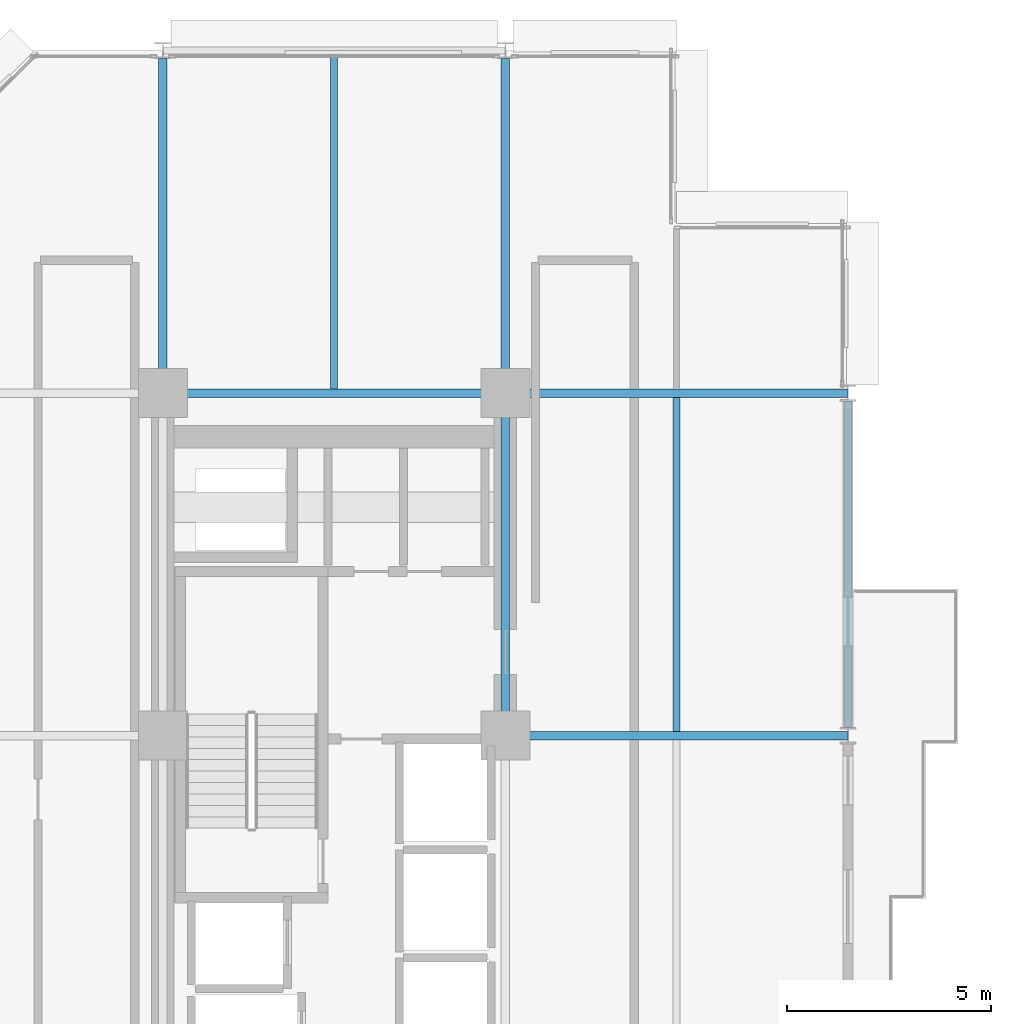
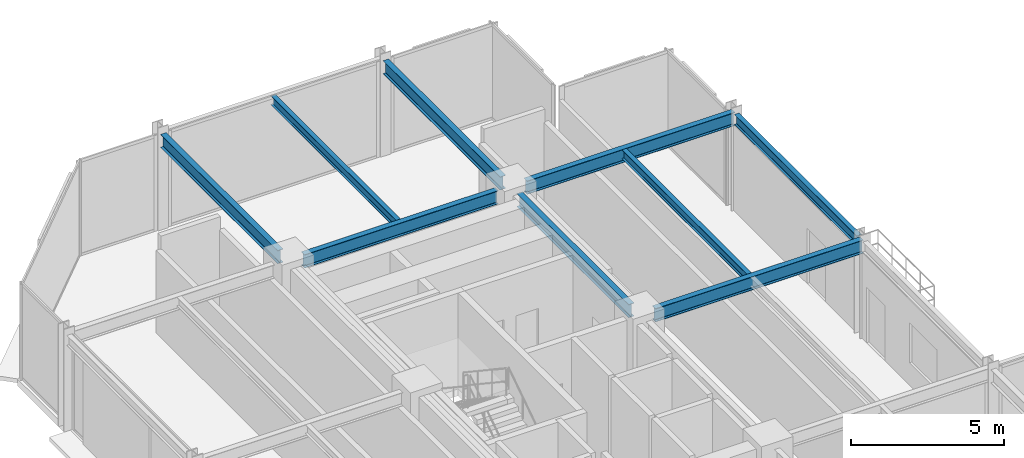
# One storey, part 19 of 30: 9 beams.
"""IFC4 building model written with IfcOpenShell, lengths in metres."""

from ifc_helpers import new_model, si_unit, direction, frame, origin, origin_2d, place, context, subcontext, project, spatial, i_section, extrude, material, material_profile, profile_set, type_object, element, save


model = new_model("IFC4")

# Units and contexts
model_context = context("Model", 3, precision=1e-05, world=origin(), true_north=direction((0.0, 1.0)))
body_context = subcontext(model_context, "Body", "Model", "MODEL_VIEW")
ifc_project = project(units=[si_unit("LENGTHUNIT", "METRE"), si_unit("AREAUNIT", "SQUARE_METRE"), si_unit("VOLUMEUNIT", "CUBIC_METRE"), si_unit("PLANEANGLEUNIT", "RADIAN"), si_unit("MASSUNIT", "GRAM", prefix="KILO")], contexts=[model_context])

# Site, building, storey
site_placement = place(None, origin())
site = spatial("IfcSite", under=ifc_project, at=site_placement, CompositionType="ELEMENT")
building_placement = place(site_placement, origin())
building = spatial("IfcBuilding", under=site, at=building_placement, Name="Nerrivon Quay Data Exchange", CompositionType="ELEMENT")
storey_placement = place(building_placement, frame((0.0, 0.0, 117.199951171875)))
storey = spatial("IfcBuildingStorey", under=building, at=storey_placement, Name="L27", CompositionType="ELEMENT", Elevation=117.199951171875)

# Beams
ifc_material = material(Name="Steel Grade 350", Category="steel")
ifc_material_profile_1 = material_profile(ifc_material, i_section(OverallWidth=0.208984375, OverallDepth=0.532958984375, WebThickness=0.01025390625, FlangeThickness=0.015625, FilletRadius=0.013916015625, at=origin_2d()), Name="530UB92.4")
ifc_profile_set_1 = profile_set([ifc_material_profile_1], Name="Steel Grade 350")
beam_type_1 = type_object("IfcBeamType", Name="BM-G3-530UB92", PredefinedType="BEAM", material=ifc_profile_set_1)
beam_1_placement = place(storey_placement, frame((17.340087890625, 33.60009765625, 3.55859375), z_axis=(1.0, 0.0, 0.0), x_axis=(0.0, 1.0, 0.0)))
element("IfcBeam", 1, at=beam_1_placement, inside=storey, type_object=beam_type_1, Name="L27 EW Girder Y=33.6 (16.8..25.2)", PredefinedType="BEAM", context=body_context, shape_type="SweptSolid", body=[
    extrude(i_section(OverallWidth=0.208984375, OverallDepth=0.532958984375, WebThickness=0.01025390625, FlangeThickness=0.015625, FilletRadius=0.013916015625, at=origin_2d()), origin(), (0.0, 0.0, 1.0), 7.847412109375),
])
beam_2_placement = place(storey_placement, frame((8.93994140625, 42.0, 3.55859375), z_axis=(1.0, 0.0, 0.0), x_axis=(0.0, 1.0, 0.0)))
element("IfcBeam", 2, at=beam_2_placement, inside=storey, type_object=beam_type_1, Name="L27 EW Girder Y=42.0 (8.4..16.8)", PredefinedType="BEAM", context=body_context, shape_type="SweptSolid", body=[
    extrude(i_section(OverallWidth=0.208984375, OverallDepth=0.532958984375, WebThickness=0.01025390625, FlangeThickness=0.015625, FilletRadius=0.013916015625, at=origin_2d()), origin(), (0.0, 0.0, 1.0), 7.320068359375),
])
beam_3_placement = place(storey_placement, frame((17.340087890625, 42.0, 3.55859375), z_axis=(1.0, 0.0, 0.0), x_axis=(0.0, 1.0, 0.0)))
element("IfcBeam", 3, at=beam_3_placement, inside=storey, type_object=beam_type_1, Name="L27 EW Girder Y=42.0 (16.8..25.2)", PredefinedType="BEAM", context=body_context, shape_type="SweptSolid", body=[
    extrude(i_section(OverallWidth=0.208984375, OverallDepth=0.532958984375, WebThickness=0.01025390625, FlangeThickness=0.015625, FilletRadius=0.013916015625, at=origin_2d()), origin(), (0.0, 0.0, 1.0), 7.847412109375),
])
ifc_material_profile_2 = material_profile(ifc_material, i_section(OverallWidth=0.208984375, OverallDepth=0.528076171875, WebThickness=0.009521484375, FlangeThickness=0.01318359375, FilletRadius=0.013916015625, at=origin_2d()), Name="530UB82.0")
ifc_profile_set_2 = profile_set([ifc_material_profile_2], Name="Steel Grade 350")
beam_type_2 = type_object("IfcBeamType", Name="BM-G4-530UB82", PredefinedType="BEAM", material=ifc_profile_set_2)
beam_4_placement = place(storey_placement, frame((8.39990234375, 42.5400390625, 3.56103515625), z_axis=(0.0, 1.0, 0.0), x_axis=(-1.0, 0.0, 0.0)))
element("IfcBeam", 4, at=beam_4_placement, inside=storey, type_object=beam_type_2, Name="L27 NS Girder X=8.4 (42.0..50.4)", PredefinedType="BEAM", context=body_context, shape_type="SweptSolid", body=[
    extrude(i_section(OverallWidth=0.208984375, OverallDepth=0.528076171875, WebThickness=0.009521484375, FlangeThickness=0.01318359375, FilletRadius=0.013916015625, at=origin_2d()), origin(), (0.0, 0.0, 1.0), 7.659912109375),
])
beam_5_placement = place(storey_placement, frame((16.800048828125, 34.139892578125, 3.56103515625), z_axis=(0.0, 1.0, 0.0), x_axis=(-1.0, 0.0, 0.0)))
element("IfcBeam", 5, at=beam_5_placement, inside=storey, type_object=beam_type_2, Name="L27 NS Girder X=16.8 (33.6..42.0)", PredefinedType="BEAM", context=body_context, shape_type="SweptSolid", body=[
    extrude(i_section(OverallWidth=0.208984375, OverallDepth=0.528076171875, WebThickness=0.009521484375, FlangeThickness=0.01318359375, FilletRadius=0.013916015625, at=origin_2d()), origin(), (0.0, 0.0, 1.0), 7.320068359375),
])
beam_6_placement = place(storey_placement, frame((16.800048828125, 42.5400390625, 3.56103515625), z_axis=(0.0, 1.0, 0.0), x_axis=(-1.0, 0.0, 0.0)))
element("IfcBeam", 6, at=beam_6_placement, inside=storey, type_object=beam_type_2, Name="L27 NS Girder X=16.8 (42.0..50.4)", PredefinedType="BEAM", context=body_context, shape_type="SweptSolid", body=[
    extrude(i_section(OverallWidth=0.208984375, OverallDepth=0.528076171875, WebThickness=0.009521484375, FlangeThickness=0.01318359375, FilletRadius=0.013916015625, at=origin_2d()), origin(), (0.0, 0.0, 1.0), 7.659912109375),
])
ifc_material_profile_3 = material_profile(ifc_material, i_section(OverallWidth=0.1708984375, OverallDepth=0.35595703125, WebThickness=0.00732421875, FlangeThickness=0.011474609375, FilletRadius=0.011474609375, at=origin_2d()), Name="360UB50.7")
ifc_profile_set_3 = profile_set([ifc_material_profile_3], Name="Steel Grade 350")
beam_type_3 = type_object("IfcBeamType", Name="BM-J4-360UB51", PredefinedType="JOIST", material=ifc_profile_set_3)
beam_7_placement = place(storey_placement, frame((12.60009765625, 42.1044921875, 3.64697265625), z_axis=(0.0, 1.0, 0.0), x_axis=(-1.0, 0.0, 0.0)))
element("IfcBeam", 7, at=beam_7_placement, inside=storey, type_object=beam_type_3, Name="L27 Secondary Joist X=12.6 (42.0..50.4)", PredefinedType="JOIST", context=body_context, shape_type="SweptSolid", body=[
    extrude(i_section(OverallWidth=0.1708984375, OverallDepth=0.35595703125, WebThickness=0.00732421875, FlangeThickness=0.011474609375, FilletRadius=0.011474609375, at=origin_2d()), origin(), (0.0, 0.0, 1.0), 8.20654296875),
])
beam_8_placement = place(storey_placement, frame((21.0, 33.70458984375, 3.64697265625), z_axis=(0.0, 1.0, 0.0), x_axis=(-1.0, 0.0, 0.0)))
element("IfcBeam", 8, at=beam_8_placement, inside=storey, type_object=beam_type_3, Name="L27 Secondary Joist X=21.0 (33.6..42.0)", PredefinedType="JOIST", context=body_context, shape_type="SweptSolid", body=[
    extrude(i_section(OverallWidth=0.1708984375, OverallDepth=0.35595703125, WebThickness=0.00732421875, FlangeThickness=0.011474609375, FilletRadius=0.011474609375, at=origin_2d()), origin(), (0.0, 0.0, 1.0), 8.19091796875),
])
ifc_material_profile_4 = material_profile(ifc_material, i_section(OverallWidth=0.177978515625, OverallDepth=0.403076171875, WebThickness=0.007568359375, FlangeThickness=0.010986328125, FilletRadius=0.011474609375, at=origin_2d()), Name="410UB53.7")
ifc_profile_set_4 = profile_set([ifc_material_profile_4], Name="Steel Grade 350")
beam_type_4 = type_object("IfcBeamType", Name="BM-SP2-410UB54", PredefinedType="SPANDREL", material=ifc_profile_set_4)
beam_9_placement = place(storey_placement, frame((25.199951171875, 33.800048828125, 3.62353515625), z_axis=(0.0, 1.0, 0.0), x_axis=(-1.0, 0.0, 0.0)))
element("IfcBeam", 9, at=beam_9_placement, inside=storey, type_object=beam_type_4, Name="L27 NS Girder X=25.2 (33.6..42.0)", PredefinedType="SPANDREL", context=body_context, shape_type="SweptSolid", body=[
    extrude(i_section(OverallWidth=0.177978515625, OverallDepth=0.403076171875, WebThickness=0.007568359375, FlangeThickness=0.010986328125, FilletRadius=0.011474609375, at=origin_2d()), origin(), (0.0, 0.0, 1.0), 8.0),
])

save(model, "model.ifc")
